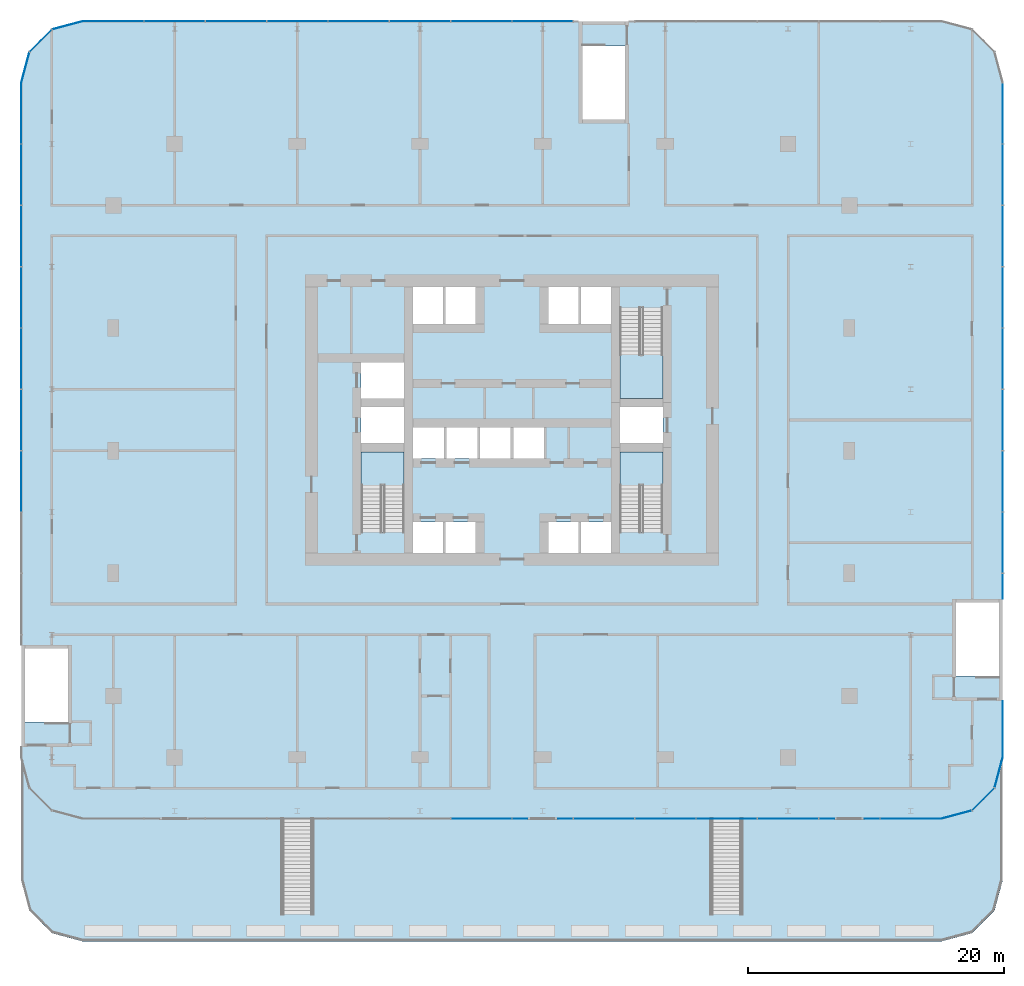
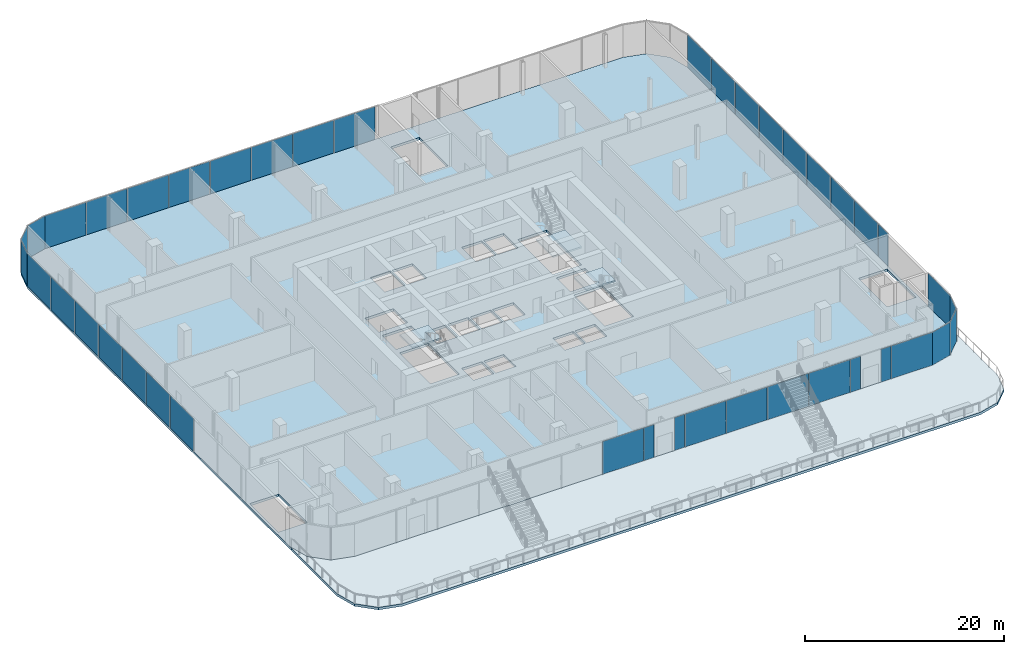
# One storey, part 20 of 32: 41 plates, 5 slabs, 9 elements without a shape of their own.
"""IFC4 building model written with IfcOpenShell, lengths in metres."""

import ifcopenshell
import ifcopenshell.guid

model = None  # the IFC model being written
_history = None  # IfcOwnerHistory: only IFC2X3 demands one
_inside = {}  # id of a spatial element -> (the spatial element, [elements in it])
_under = {}  # id of a project, library or spatial element -> (it, [spatial elements below it])
_declared = {}  # id of a project -> (the project, [libraries it declares])
_typed = {}  # id of a type object -> (the type object, [elements of that type])
_made_of = {}  # id of a material, layer set ... -> (it, [elements and type objects made of it])


def new_model(schema):
    """Start an empty IFC model of exactly this schema.

    Asked for "IFC4X3", IfcOpenShell would pick the latest addendum, in which some entities
    have other attributes; the version numbers below select the first issue.
    IFC2X3 requires an IfcOwnerHistory on every rooted entity: one is made here for all.
    """
    global model, _history
    if schema == "IFC4X3":
        model = ifcopenshell.file(schema_version=(4, 3, 0, 0))
    else:
        model = ifcopenshell.file(schema=schema)
    _inside.clear()
    _under.clear()
    _declared.clear()
    _typed.clear()
    _made_of.clear()
    _history = None
    if model.schema == "IFC2X3":
        org = make("IfcOrganization", Name="unknown")
        user = make(
            "IfcPersonAndOrganization",
            ThePerson=make("IfcPerson", FamilyName="unknown"),
            TheOrganization=org,
        )
        app = make(
            "IfcApplication",
            ApplicationDeveloper=org,
            Version="unknown",
            ApplicationFullName="unknown",
            ApplicationIdentifier="unknown",
        )
        _history = make(
            "IfcOwnerHistory",
            OwningUser=user,
            OwningApplication=app,
            ChangeAction="ADDED",
            CreationDate=0,
        )
    return model


def make(cls, **values):
    """One entity of the class cls with the attributes given. An attribute that is None is left unset."""
    return model.create_entity(
        cls, **{name: value for name, value in values.items() if value is not None}
    )


def rooted(cls, **values):
    """An entity with a GlobalId (a new one), such as an element, a storey or a relation."""
    return make(cls, GlobalId=ifcopenshell.guid.new(), OwnerHistory=_history, **values)


def si_unit(unit_type, name, prefix=None):
    """IfcSIUnit, for example si_unit("LENGTHUNIT", "METRE", prefix="MILLI")."""
    return make("IfcSIUnit", UnitType=unit_type, Prefix=prefix, Name=name)


def assignment(units):
    """IfcUnitAssignment: the units of a project."""
    return None if units is None else make("IfcUnitAssignment", Units=units)


def point(xyz):
    """IfcCartesianPoint."""
    return None if xyz is None else make("IfcCartesianPoint", Coordinates=xyz)


def direction(xyz):
    """IfcDirection."""
    return None if xyz is None else make("IfcDirection", DirectionRatios=xyz)


def frame(location, z_axis=None, x_axis=None):
    """IfcAxis2Placement3D, a coordinate frame: its origin and axes. An axis left out is left unset."""
    return make(
        "IfcAxis2Placement3D",
        Location=point(location),
        Axis=direction(z_axis),
        RefDirection=direction(x_axis),
    )


def frame_2d(location, x_axis=None):
    """IfcAxis2Placement2D, a coordinate frame in the plane: its origin and x axis."""
    return make(
        "IfcAxis2Placement2D", Location=point(location), RefDirection=direction(x_axis)
    )


def origin():
    """The frame at (0, 0, 0) with its axes left unset."""
    return frame((0.0, 0.0, 0.0))


def origin_2d():
    """The frame at (0, 0) in the plane with its x axis left unset."""
    return frame_2d((0.0, 0.0))


def place(relative_to, where):
    """IfcLocalPlacement: puts the frame where relative to a parent placement (None: the world)."""
    return make(
        "IfcLocalPlacement", PlacementRelTo=relative_to, RelativePlacement=where
    )


def context(
    kind, dimensions, precision=None, world=None, true_north=None, identifier=None
):
    """IfcGeometricRepresentationContext, for example the 3D "Model" context."""
    return make(
        "IfcGeometricRepresentationContext",
        ContextIdentifier=identifier,
        ContextType=kind,
        CoordinateSpaceDimension=dimensions,
        Precision=precision,
        WorldCoordinateSystem=world,
        TrueNorth=true_north,
    )


def subcontext(parent, identifier, kind, view, scale=None):
    """IfcGeometricRepresentationSubContext, for example "Body" below "Model"."""
    return make(
        "IfcGeometricRepresentationSubContext",
        ContextIdentifier=identifier,
        ContextType=kind,
        ParentContext=parent,
        TargetScale=scale,
        TargetView=view,
    )


def project(units=None, contexts=None):
    """IfcProject with its units and contexts."""
    return rooted(
        "IfcProject",
        Name="project",
        RepresentationContexts=contexts,
        UnitsInContext=assignment(units),
    )


def spatial(cls, under=None, at=None, **own):
    """A site, building, storey or space (cls), placed at a placement, below another one or the project."""
    s = rooted(cls, ObjectPlacement=at, **own)
    if under is not None:
        _under.setdefault(under.id(), (under, []))[1].append(s)
    return s


def polyline(points):
    """IfcPolyline through the points."""
    return make("IfcPolyline", Points=[point(p) for p in points])


def profile(cls, at=None, kind="AREA", **sizes):
    """A parametric profile (cls). Its sizes go by their IFC names, for example OverallWidth=200.0."""
    return make(cls, ProfileType=kind, Position=at, **sizes)


def rectangle(**sizes):
    """IfcRectangleProfileDef."""
    return profile("IfcRectangleProfileDef", **sizes)


def outline(outer, holes=None, kind="AREA"):
    """IfcArbitraryClosedProfileDef: a profile drawn as a closed curve; with holes, ...WithVoids."""
    if holes is None:
        return make("IfcArbitraryClosedProfileDef", ProfileType=kind, OuterCurve=outer)
    return make(
        "IfcArbitraryProfileDefWithVoids",
        ProfileType=kind,
        OuterCurve=outer,
        InnerCurves=holes,
    )


def extrude(swept, where, along, depth):
    """IfcExtrudedAreaSolid: the profile swept, set in the frame where, extruded along a direction by depth."""
    return make(
        "IfcExtrudedAreaSolid",
        SweptArea=swept,
        Position=where,
        ExtrudedDirection=direction(along),
        Depth=depth,
    )


def shape(context_of_items, identifier, shape_type, items):
    """IfcShapeRepresentation: the items that make up one representation, for example the "Body"."""
    return make(
        "IfcShapeRepresentation",
        ContextOfItems=context_of_items,
        RepresentationIdentifier=identifier,
        RepresentationType=shape_type,
        Items=items,
    )


def material(Name=None, Category=None):
    """IfcMaterial."""
    return make("IfcMaterial", Name=Name, Category=Category)


def layer(
    of_material, thickness, ventilated=None, Name=None, Category=None, Priority=None
):
    """IfcMaterialLayer: one layer of a wall or slab, of a material (None: an air gap)."""
    return make(
        "IfcMaterialLayer",
        Material=of_material,
        LayerThickness=thickness,
        IsVentilated=ventilated,
        Name=Name,
        Category=Category,
        Priority=Priority,
    )


def layer_set(layers, Name=None):
    """IfcMaterialLayerSet."""
    return make("IfcMaterialLayerSet", MaterialLayers=layers, LayerSetName=Name)


def made_of(thing, what):
    """Note that an element or type object is made of a material, layer set ...; save() writes the relation."""
    if what is not None:
        _made_of.setdefault(what.id(), (what, []))[1].append(thing)
    return thing


def type_object(cls, material=None, **own):
    """A type object (cls), such as IfcWallType, which elements share."""
    return made_of(rooted(cls, **own), material)


def element(
    cls,
    number,
    at=None,
    inside=None,
    cuts=None,
    type_object=None,
    material=None,
    context=None,
    identifier="Body",
    shape_type=None,
    held_by="IfcProductDefinitionShape",
    body=None,
    shapes=None,
    **own,
):
    """One element of the class cls, such as IfcWall. Its Tag is "e" and its number.

    at: its placement. inside: the storey or other place that contains it. cuts: it is an
    opening in that element (IfcRelVoidsElement). A single representation is given by context,
    identifier, shape_type and body (its items); several are given by shapes. held_by: the class
    of the entity that holds the representations. save() writes the other relations.
    """
    e = rooted(cls, Tag="e%d" % number, ObjectPlacement=at, **own)
    if body is not None:
        shapes = [shape(context, identifier, shape_type, body)]
    if shapes is not None:
        e.Representation = make(held_by, Representations=shapes)
    if inside is not None:
        _inside.setdefault(inside.id(), (inside, []))[1].append(e)
    if cuts is not None:
        rooted(
            "IfcRelVoidsElement", RelatingBuildingElement=cuts, RelatedOpeningElement=e
        )
    if type_object is not None:
        _typed.setdefault(type_object.id(), (type_object, []))[1].append(e)
    return made_of(e, material)


def aggregate(whole, parts):
    """IfcRelAggregates: a whole, such as a stair, and the parts it consists of."""
    return rooted("IfcRelAggregates", RelatingObject=whole, RelatedObjects=parts)


def save(model, path):
    """Write the relations noted so far, then the file.

    IfcRelAggregates (storeys below a building ...), IfcRelContainedInSpatialStructure (elements
    in a storey), IfcRelDefinesByType, IfcRelAssociatesMaterial and IfcRelDeclares: one each for
    every whole, place, type object, material and project.
    """
    for whole, parts in _under.values():
        aggregate(whole, parts)
    for where, things in _inside.values():
        rooted(
            "IfcRelContainedInSpatialStructure",
            RelatedElements=things,
            RelatingStructure=where,
        )
    for kind, things in _typed.values():
        rooted("IfcRelDefinesByType", RelatedObjects=things, RelatingType=kind)
    for what, things in _made_of.values():
        rooted("IfcRelAssociatesMaterial", RelatedObjects=things, RelatingMaterial=what)
    for by, libraries in _declared.values():
        rooted("IfcRelDeclares", RelatingContext=by, RelatedDefinitions=libraries)
    model.write(path)


model = new_model("IFC4")

# Units and contexts
model_context = context("Model", 3, precision=1e-05, world=origin(), true_north=direction((0.0, 1.0)))
body_context = subcontext(model_context, "Body", "Model", "MODEL_VIEW")
ifc_project = project(units=[si_unit("LENGTHUNIT", "METRE"), si_unit("AREAUNIT", "SQUARE_METRE"), si_unit("VOLUMEUNIT", "CUBIC_METRE"), si_unit("PLANEANGLEUNIT", "RADIAN"), si_unit("MASSUNIT", "GRAM", prefix="KILO")], contexts=[model_context])

# Site, building, storey
site_placement = place(None, origin())
site = spatial("IfcSite", under=ifc_project, at=site_placement, CompositionType="ELEMENT")
building_placement = place(site_placement, origin())
building = spatial("IfcBuilding", under=site, at=building_placement, Name="Madar Terraces", CompositionType="ELEMENT")
storey_placement = place(building_placement, frame((0.0, 0.0, 19.5)))
storey = spatial("IfcBuildingStorey", under=building, at=storey_placement, Name="L04", CompositionType="ELEMENT", Elevation=19.5)

# Slab
ifc_material_1 = material(Name="Concrete C50/60", Category="concrete")
ifc_layer_1 = layer(ifc_material_1, 0.300048828125)
ifc_layer_set_1 = layer_set([ifc_layer_1], Name="FS2 PT flat slab 300")
slab_type_1 = type_object("IfcSlabType", Name="FS2 PT flat slab 300", PredefinedType="FLOOR", material=ifc_layer_set_1)
slab_1_placement = place(storey_placement, frame((0.0, 0.0, -0.300048828125)))
element("IfcSlab", 1, at=slab_1_placement, inside=storey, type_object=slab_type_1, Name="Floor slab L04 (1)", PredefinedType="FLOOR", context=body_context, shape_type="SweptSolid", body=[
    extrude(outline(polyline([(64.800048828125, -4.800048828125), (67.199951171875, -4.156982421875), (68.95703125, -2.39990234375), (69.60009765625, 0.0), (69.60009765625, 52.800048828125), (68.95703125, 55.199951171875), (67.199951171875, 56.95703125), (64.800048828125, 57.60009765625), (-2.39990234375, 57.60009765625), (-4.800048828125, 56.95703125), (-6.556884765625, 55.199951171875), (-7.199951171875, 52.800048828125), (-7.199951171875, 0.0), (-6.556884765625, -2.39990234375), (-4.800048828125, -4.156982421875), (-2.39990234375, -4.800048828125), (64.800048828125, -4.800048828125)]), holes=[polyline([(-6.89990234375, 2.75), (-6.89990234375, 8.5), (-3.550048828125, 8.5), (-3.550048828125, 2.75), (-6.89990234375, 2.75)]), polyline([(23.449951171875, 16.0), (23.449951171875, 18.39990234375), (25.800048828125, 18.39990234375), (25.800048828125, 16.0), (23.449951171875, 16.0)]), polyline([(26.0, 16.0), (26.0, 18.39990234375), (28.35009765625, 18.39990234375), (28.35009765625, 16.0), (26.0, 16.0)]), polyline([(19.39990234375, 23.89990234375), (22.75, 23.89990234375), (22.75, 17.64990234375), (19.39990234375, 17.64990234375), (19.39990234375, 23.89990234375)]), polyline([(23.449951171875, 25.800048828125), (25.86669921875, 25.800048828125), (25.86669921875, 23.39990234375), (23.449951171875, 23.39990234375), (23.449951171875, 25.800048828125)]), polyline([(26.066650390625, 23.39990234375), (26.066650390625, 25.800048828125), (28.4833984375, 25.800048828125), (28.4833984375, 23.39990234375), (26.066650390625, 23.39990234375)]), polyline([(28.683349609375, 23.39990234375), (28.683349609375, 25.800048828125), (31.10009765625, 25.800048828125), (31.10009765625, 23.39990234375), (28.683349609375, 23.39990234375)]), polyline([(19.39990234375, 24.60009765625), (19.39990234375, 27.39990234375), (22.75, 27.39990234375), (22.75, 24.60009765625), (19.39990234375, 24.60009765625)]), polyline([(19.39990234375, 30.89990234375), (22.75, 30.89990234375), (22.75, 28.10009765625), (19.39990234375, 28.10009765625), (19.39990234375, 30.89990234375)]), polyline([(23.449951171875, 36.800048828125), (25.800048828125, 36.800048828125), (25.800048828125, 33.89990234375), (23.449951171875, 33.89990234375), (23.449951171875, 36.800048828125)]), polyline([(26.0, 33.89990234375), (26.0, 36.800048828125), (28.35009765625, 36.800048828125), (28.35009765625, 33.89990234375), (26.0, 33.89990234375)]), polyline([(65.949951171875, 6.35009765625), (65.949951171875, 12.10009765625), (69.300048828125, 12.10009765625), (69.300048828125, 6.35009765625), (65.949951171875, 6.35009765625)]), polyline([(34.050048828125, 16.0), (34.050048828125, 18.39990234375), (36.39990234375, 18.39990234375), (36.39990234375, 16.0), (34.050048828125, 16.0)]), polyline([(36.60009765625, 18.39990234375), (38.949951171875, 18.39990234375), (38.949951171875, 16.0), (36.60009765625, 16.0), (36.60009765625, 18.39990234375)]), polyline([(39.64990234375, 23.89990234375), (43.0, 23.89990234375), (43.0, 17.64990234375), (39.64990234375, 17.64990234375), (39.64990234375, 23.89990234375)]), polyline([(31.300048828125, 23.39990234375), (31.300048828125, 25.800048828125), (33.716552734375, 25.800048828125), (33.716552734375, 23.39990234375), (31.300048828125, 23.39990234375)]), polyline([(39.64990234375, 27.39990234375), (43.0, 27.39990234375), (43.0, 24.60009765625), (39.64990234375, 24.60009765625), (39.64990234375, 27.39990234375)]), polyline([(39.64990234375, 35.14990234375), (43.0, 35.14990234375), (43.0, 28.10009765625), (39.64990234375, 28.10009765625), (39.64990234375, 35.14990234375)]), polyline([(34.050048828125, 33.89990234375), (34.050048828125, 36.800048828125), (36.39990234375, 36.800048828125), (36.39990234375, 33.89990234375), (34.050048828125, 33.89990234375)]), polyline([(36.60009765625, 36.800048828125), (38.949951171875, 36.800048828125), (38.949951171875, 33.89990234375), (36.60009765625, 33.89990234375), (36.60009765625, 36.800048828125)]), polyline([(36.699951171875, 55.64990234375), (40.050048828125, 55.64990234375), (40.050048828125, 49.89990234375), (36.699951171875, 49.89990234375), (36.699951171875, 55.64990234375)])]), origin(), (0.0, 0.0, 1.0), 0.300048828125),
])

# Curtain wall, plates
ifc_material_2 = material(Name="Glass, clear low-iron, with black aluminium frame", Category="aluminium")
ifc_layer_2 = layer(ifc_material_2, 0.199951171875)
ifc_layer_set_2 = layer_set([ifc_layer_2], Name="Facade curtain wall, shopfront glazing")
curtain_wall_type = type_object("IfcCurtainWallType", Name="Facade curtain wall, shopfront glazing", PredefinedType="NOTDEFINED", material=ifc_layer_set_2)
curtain_wall_1_placement = place(storey_placement, origin())
curtain_wall_1 = element("IfcCurtainWall", 2, at=curtain_wall_1_placement, inside=storey, type_object=curtain_wall_type, Name="Outer skin curtain wall south bay 1", PredefinedType="NOTDEFINED")
ifc_material_3 = material(Name="Glass, ceramic frit dark grey", Category="glass")
ifc_layer_3 = layer(ifc_material_3, 0.028076171875)
ifc_layer_set_3 = layer_set([ifc_layer_3], Name="Facade glass panel 28")
plate_type = type_object("IfcPlateType", Name="Facade glass panel 28", PredefinedType="CURTAIN_PANEL", material=ifc_layer_set_3)
plate_1_placement = place(storey_placement, frame((28.800048828125, -4.800048828125, 0.0), z_axis=(0.0, 0.0, 1.0), x_axis=(1.0, 0.0, 0.0)))
plate_1 = element("IfcPlate", 3, at=plate_1_placement, type_object=plate_type, Name="Panel 8", PredefinedType="CURTAIN_PANEL", context=body_context, shape_type="SweptSolid", body=[
    extrude(rectangle(XDim=4.739990234375, YDim=0.028076171875, at=origin_2d()), origin(), (0.0, 0.0, 1.0), 4.0400390625),
])
plate_2_placement = place(storey_placement, frame((31.81494140625, -4.800048828125, 0.0), z_axis=(0.0, 0.0, 1.0), x_axis=(1.0, 0.0, 0.0)))
plate_2 = element("IfcPlate", 4, at=plate_2_placement, type_object=plate_type, Name="Panel 9", PredefinedType="CURTAIN_PANEL", context=body_context, shape_type="SweptSolid", body=[
    extrude(rectangle(XDim=1.169921875, YDim=0.028076171875, at=origin_2d()), origin(), (0.0, 0.0, 1.0), 4.0400390625),
])
plate_3_placement = place(storey_placement, frame((35.385009765625, -4.800048828125, 0.0), z_axis=(0.0, 0.0, 1.0), x_axis=(1.0, 0.0, 0.0)))
plate_3 = element("IfcPlate", 5, at=plate_3_placement, type_object=plate_type, Name="Panel 10", PredefinedType="CURTAIN_PANEL", context=body_context, shape_type="SweptSolid", body=[
    extrude(rectangle(XDim=1.169921875, YDim=0.028076171875, at=origin_2d()), origin(), (0.0, 0.0, 1.0), 4.0400390625),
])
plate_4_placement = place(storey_placement, frame((38.39990234375, -4.800048828125, 0.0), z_axis=(0.0, 0.0, 1.0), x_axis=(1.0, 0.0, 0.0)))
plate_4 = element("IfcPlate", 6, at=plate_4_placement, type_object=plate_type, Name="Panel 11", PredefinedType="CURTAIN_PANEL", context=body_context, shape_type="SweptSolid", body=[
    extrude(rectangle(XDim=4.739990234375, YDim=0.028076171875, at=origin_2d()), origin(), (0.0, 0.0, 1.0), 4.0400390625),
])
plate_5_placement = place(storey_placement, frame((43.199951171875, -4.800048828125, 0.0), z_axis=(0.0, 0.0, 1.0), x_axis=(1.0, 0.0, 0.0)))
plate_5 = element("IfcPlate", 7, at=plate_5_placement, type_object=plate_type, Name="Panel 12", PredefinedType="CURTAIN_PANEL", context=body_context, shape_type="SweptSolid", body=[
    extrude(rectangle(XDim=4.739990234375, YDim=0.028076171875, at=origin_2d()), origin(), (0.0, 0.0, 1.0), 4.0400390625),
])
plate_6_placement = place(storey_placement, frame((48.0, -4.800048828125, 0.0), z_axis=(0.0, 0.0, 1.0), x_axis=(1.0, 0.0, 0.0)))
plate_6 = element("IfcPlate", 8, at=plate_6_placement, type_object=plate_type, Name="Panel 13", PredefinedType="CURTAIN_PANEL", context=body_context, shape_type="SweptSolid", body=[
    extrude(rectangle(XDim=4.739990234375, YDim=0.028076171875, at=origin_2d()), origin(), (0.0, 0.0, 1.0), 4.0400390625),
])
plate_7_placement = place(storey_placement, frame((52.800048828125, -4.800048828125, 0.0), z_axis=(0.0, 0.0, 1.0), x_axis=(1.0, 0.0, 0.0)))
plate_7 = element("IfcPlate", 9, at=plate_7_placement, type_object=plate_type, Name="Panel 14", PredefinedType="CURTAIN_PANEL", context=body_context, shape_type="SweptSolid", body=[
    extrude(rectangle(XDim=4.739990234375, YDim=0.028076171875, at=origin_2d()), origin(), (0.0, 0.0, 1.0), 4.0400390625),
])
plate_8_placement = place(storey_placement, frame((55.81494140625, -4.800048828125, 0.0), z_axis=(0.0, 0.0, 1.0), x_axis=(1.0, 0.0, 0.0)))
plate_8 = element("IfcPlate", 10, at=plate_8_placement, type_object=plate_type, Name="Panel 15", PredefinedType="CURTAIN_PANEL", context=body_context, shape_type="SweptSolid", body=[
    extrude(rectangle(XDim=1.169921875, YDim=0.028076171875, at=origin_2d()), origin(), (0.0, 0.0, 1.0), 4.0400390625),
])
plate_9_placement = place(storey_placement, frame((59.385009765625, -4.800048828125, 0.0), z_axis=(0.0, 0.0, 1.0), x_axis=(1.0, 0.0, 0.0)))
plate_9 = element("IfcPlate", 11, at=plate_9_placement, type_object=plate_type, Name="Panel 16", PredefinedType="CURTAIN_PANEL", context=body_context, shape_type="SweptSolid", body=[
    extrude(rectangle(XDim=1.169921875, YDim=0.028076171875, at=origin_2d()), origin(), (0.0, 0.0, 1.0), 4.0400390625),
])
plate_10_placement = place(storey_placement, frame((62.4150390625, -4.800048828125, 0.0), z_axis=(0.0, 0.0, 1.0), x_axis=(1.0, 0.0, 0.0)))
plate_10 = element("IfcPlate", 12, at=plate_10_placement, type_object=plate_type, Name="Panel 17", PredefinedType="CURTAIN_PANEL", context=body_context, shape_type="SweptSolid", body=[
    extrude(rectangle(XDim=4.77001953125, YDim=0.028076171875, at=origin_2d()), origin(), (0.0, 0.0, 1.0), 4.0400390625),
])
aggregate(curtain_wall_1, [plate_1, plate_2, plate_3, plate_4, plate_5, plate_6, plate_7, plate_8, plate_9, plate_10])

curtain_wall_2_placement = place(storey_placement, origin())
curtain_wall_2 = element("IfcCurtainWall", 13, at=curtain_wall_2_placement, inside=storey, type_object=curtain_wall_type, Name="Outer skin curtain wall east bay 1", PredefinedType="NOTDEFINED")
plate_11_placement = place(storey_placement, frame((69.60009765625, 2.199951171875, 0.0), z_axis=(0.0, 0.0, 1.0), x_axis=(0.0, 1.0, 0.0)))
plate_11 = element("IfcPlate", 14, at=plate_11_placement, type_object=plate_type, Name="Panel 1", PredefinedType="CURTAIN_PANEL", context=body_context, shape_type="SweptSolid", body=[
    extrude(rectangle(XDim=4.39990234375, YDim=0.028076171875, at=origin_2d()), origin(), (0.0, 0.0, 1.0), 4.0400390625),
])
plate_12_placement = place(storey_placement, frame((69.60009765625, 13.385009765625, 0.0), z_axis=(0.0, 0.0, 1.0), x_axis=(0.0, 1.0, 0.0)))
plate_12 = element("IfcPlate", 15, at=plate_12_placement, type_object=plate_type, Name="Panel 2", PredefinedType="CURTAIN_PANEL", context=body_context, shape_type="SweptSolid", body=[
    extrude(rectangle(XDim=1.969970703125, YDim=0.028076171875, at=origin_2d()), origin(), (0.0, 0.0, 1.0), 4.0400390625),
])
plate_13_placement = place(storey_placement, frame((69.60009765625, 16.800048828125, 0.0), z_axis=(0.0, 0.0, 1.0), x_axis=(0.0, 1.0, 0.0)))
plate_13 = element("IfcPlate", 16, at=plate_13_placement, type_object=plate_type, Name="Panel 3", PredefinedType="CURTAIN_PANEL", context=body_context, shape_type="SweptSolid", body=[
    extrude(rectangle(XDim=4.739990234375, YDim=0.028076171875, at=origin_2d()), origin(), (0.0, 0.0, 1.0), 4.0400390625),
])
plate_14_placement = place(storey_placement, frame((69.60009765625, 21.60009765625, 0.0), z_axis=(0.0, 0.0, 1.0), x_axis=(0.0, 1.0, 0.0)))
plate_14 = element("IfcPlate", 17, at=plate_14_placement, type_object=plate_type, Name="Panel 4", PredefinedType="CURTAIN_PANEL", context=body_context, shape_type="SweptSolid", body=[
    extrude(rectangle(XDim=4.739990234375, YDim=0.028076171875, at=origin_2d()), origin(), (0.0, 0.0, 1.0), 4.0400390625),
])
plate_15_placement = place(storey_placement, frame((69.60009765625, 26.39990234375, 0.0), z_axis=(0.0, 0.0, 1.0), x_axis=(0.0, 1.0, 0.0)))
plate_15 = element("IfcPlate", 18, at=plate_15_placement, type_object=plate_type, Name="Panel 5", PredefinedType="CURTAIN_PANEL", context=body_context, shape_type="SweptSolid", body=[
    extrude(rectangle(XDim=4.739990234375, YDim=0.028076171875, at=origin_2d()), origin(), (0.0, 0.0, 1.0), 4.0400390625),
])
plate_16_placement = place(storey_placement, frame((69.60009765625, 31.199951171875, 0.0), z_axis=(0.0, 0.0, 1.0), x_axis=(0.0, 1.0, 0.0)))
plate_16 = element("IfcPlate", 19, at=plate_16_placement, type_object=plate_type, Name="Panel 6", PredefinedType="CURTAIN_PANEL", context=body_context, shape_type="SweptSolid", body=[
    extrude(rectangle(XDim=4.739990234375, YDim=0.028076171875, at=origin_2d()), origin(), (0.0, 0.0, 1.0), 4.0400390625),
])
plate_17_placement = place(storey_placement, frame((69.60009765625, 36.0, 0.0), z_axis=(0.0, 0.0, 1.0), x_axis=(0.0, 1.0, 0.0)))
plate_17 = element("IfcPlate", 20, at=plate_17_placement, type_object=plate_type, Name="Panel 7", PredefinedType="CURTAIN_PANEL", context=body_context, shape_type="SweptSolid", body=[
    extrude(rectangle(XDim=4.739990234375, YDim=0.028076171875, at=origin_2d()), origin(), (0.0, 0.0, 1.0), 4.0400390625),
])
plate_18_placement = place(storey_placement, frame((69.60009765625, 40.800048828125, 0.0), z_axis=(0.0, 0.0, 1.0), x_axis=(0.0, 1.0, 0.0)))
plate_18 = element("IfcPlate", 21, at=plate_18_placement, type_object=plate_type, Name="Panel 8", PredefinedType="CURTAIN_PANEL", context=body_context, shape_type="SweptSolid", body=[
    extrude(rectangle(XDim=4.739990234375, YDim=0.028076171875, at=origin_2d()), origin(), (0.0, 0.0, 1.0), 4.0400390625),
])
plate_19_placement = place(storey_placement, frame((69.60009765625, 45.60009765625, 0.0), z_axis=(0.0, 0.0, 1.0), x_axis=(0.0, 1.0, 0.0)))
plate_19 = element("IfcPlate", 22, at=plate_19_placement, type_object=plate_type, Name="Panel 9", PredefinedType="CURTAIN_PANEL", context=body_context, shape_type="SweptSolid", body=[
    extrude(rectangle(XDim=4.739990234375, YDim=0.028076171875, at=origin_2d()), origin(), (0.0, 0.0, 1.0), 4.0400390625),
])
plate_20_placement = place(storey_placement, frame((69.60009765625, 50.4150390625, 0.0), z_axis=(0.0, 0.0, 1.0), x_axis=(0.0, 1.0, 0.0)))
plate_20 = element("IfcPlate", 23, at=plate_20_placement, type_object=plate_type, Name="Panel 10", PredefinedType="CURTAIN_PANEL", context=body_context, shape_type="SweptSolid", body=[
    extrude(rectangle(XDim=4.77001953125, YDim=0.028076171875, at=origin_2d()), origin(), (0.0, 0.0, 1.0), 4.0400390625),
])
aggregate(curtain_wall_2, [plate_11, plate_12, plate_13, plate_14, plate_15, plate_16, plate_17, plate_18, plate_19, plate_20])

curtain_wall_3_placement = place(storey_placement, origin())
curtain_wall_3 = element("IfcCurtainWall", 24, at=curtain_wall_3_placement, inside=storey, type_object=curtain_wall_type, Name="Outer skin curtain wall north bay 1", PredefinedType="NOTDEFINED")
plate_21_placement = place(storey_placement, frame((33.60009765625, 57.60009765625, 0.0), z_axis=(0.0, 0.0, 1.0), x_axis=(-1.0, 0.0, 0.0)))
plate_21 = element("IfcPlate", 25, at=plate_21_placement, type_object=plate_type, Name="Panel 8", PredefinedType="CURTAIN_PANEL", context=body_context, shape_type="SweptSolid", body=[
    extrude(rectangle(XDim=4.739990234375, YDim=0.028076171875, at=origin_2d()), origin(), (0.0, 0.0, 1.0), 4.0400390625),
])
plate_22_placement = place(storey_placement, frame((28.800048828125, 57.60009765625, 0.0), z_axis=(0.0, 0.0, 1.0), x_axis=(-1.0, 0.0, 0.0)))
plate_22 = element("IfcPlate", 26, at=plate_22_placement, type_object=plate_type, Name="Panel 9", PredefinedType="CURTAIN_PANEL", context=body_context, shape_type="SweptSolid", body=[
    extrude(rectangle(XDim=4.739990234375, YDim=0.028076171875, at=origin_2d()), origin(), (0.0, 0.0, 1.0), 4.0400390625),
])
plate_23_placement = place(storey_placement, frame((24.0, 57.60009765625, 0.0), z_axis=(0.0, 0.0, 1.0), x_axis=(-1.0, 0.0, 0.0)))
plate_23 = element("IfcPlate", 27, at=plate_23_placement, type_object=plate_type, Name="Panel 10", PredefinedType="CURTAIN_PANEL", context=body_context, shape_type="SweptSolid", body=[
    extrude(rectangle(XDim=4.739990234375, YDim=0.028076171875, at=origin_2d()), origin(), (0.0, 0.0, 1.0), 4.0400390625),
])
plate_24_placement = place(storey_placement, frame((19.199951171875, 57.60009765625, 0.0), z_axis=(0.0, 0.0, 1.0), x_axis=(-1.0, 0.0, 0.0)))
plate_24 = element("IfcPlate", 28, at=plate_24_placement, type_object=plate_type, Name="Panel 11", PredefinedType="CURTAIN_PANEL", context=body_context, shape_type="SweptSolid", body=[
    extrude(rectangle(XDim=4.739990234375, YDim=0.028076171875, at=origin_2d()), origin(), (0.0, 0.0, 1.0), 4.0400390625),
])
plate_25_placement = place(storey_placement, frame((14.39990234375, 57.60009765625, 0.0), z_axis=(0.0, 0.0, 1.0), x_axis=(-1.0, 0.0, 0.0)))
plate_25 = element("IfcPlate", 29, at=plate_25_placement, type_object=plate_type, Name="Panel 12", PredefinedType="CURTAIN_PANEL", context=body_context, shape_type="SweptSolid", body=[
    extrude(rectangle(XDim=4.739990234375, YDim=0.028076171875, at=origin_2d()), origin(), (0.0, 0.0, 1.0), 4.0400390625),
])
plate_26_placement = place(storey_placement, frame((9.60009765625, 57.60009765625, 0.0), z_axis=(0.0, 0.0, 1.0), x_axis=(-1.0, 0.0, 0.0)))
plate_26 = element("IfcPlate", 30, at=plate_26_placement, type_object=plate_type, Name="Panel 13", PredefinedType="CURTAIN_PANEL", context=body_context, shape_type="SweptSolid", body=[
    extrude(rectangle(XDim=4.739990234375, YDim=0.028076171875, at=origin_2d()), origin(), (0.0, 0.0, 1.0), 4.0400390625),
])
plate_27_placement = place(storey_placement, frame((4.800048828125, 57.60009765625, 0.0), z_axis=(0.0, 0.0, 1.0), x_axis=(-1.0, 0.0, 0.0)))
plate_27 = element("IfcPlate", 31, at=plate_27_placement, type_object=plate_type, Name="Panel 14", PredefinedType="CURTAIN_PANEL", context=body_context, shape_type="SweptSolid", body=[
    extrude(rectangle(XDim=4.739990234375, YDim=0.028076171875, at=origin_2d()), origin(), (0.0, 0.0, 1.0), 4.0400390625),
])
plate_28_placement = place(storey_placement, frame((-0.014892578125, 57.60009765625, 0.0), z_axis=(0.0, 0.0, 1.0), x_axis=(-1.0, 0.0, 0.0)))
plate_28 = element("IfcPlate", 32, at=plate_28_placement, type_object=plate_type, Name="Panel 15", PredefinedType="CURTAIN_PANEL", context=body_context, shape_type="SweptSolid", body=[
    extrude(rectangle(XDim=4.77001953125, YDim=0.028076171875, at=origin_2d()), origin(), (0.0, 0.0, 1.0), 4.0400390625),
])
aggregate(curtain_wall_3, [plate_21, plate_22, plate_23, plate_24, plate_25, plate_26, plate_27, plate_28])

curtain_wall_4_placement = place(storey_placement, origin())
curtain_wall_4 = element("IfcCurtainWall", 33, at=curtain_wall_4_placement, inside=storey, type_object=curtain_wall_type, Name="Outer skin curtain wall west bay 1", PredefinedType="NOTDEFINED")
plate_29_placement = place(storey_placement, frame((-7.199951171875, 50.4150390625, 0.0), z_axis=(0.0, 0.0, 1.0), x_axis=(0.0, -1.0, 0.0)))
plate_29 = element("IfcPlate", 34, at=plate_29_placement, type_object=plate_type, Name="Panel 1", PredefinedType="CURTAIN_PANEL", context=body_context, shape_type="SweptSolid", body=[
    extrude(rectangle(XDim=4.77001953125, YDim=0.028076171875, at=origin_2d()), origin(), (0.0, 0.0, 1.0), 4.0400390625),
])
plate_30_placement = place(storey_placement, frame((-7.199951171875, 45.60009765625, 0.0), z_axis=(0.0, 0.0, 1.0), x_axis=(0.0, -1.0, 0.0)))
plate_30 = element("IfcPlate", 35, at=plate_30_placement, type_object=plate_type, Name="Panel 2", PredefinedType="CURTAIN_PANEL", context=body_context, shape_type="SweptSolid", body=[
    extrude(rectangle(XDim=4.739990234375, YDim=0.028076171875, at=origin_2d()), origin(), (0.0, 0.0, 1.0), 4.0400390625),
])
plate_31_placement = place(storey_placement, frame((-7.199951171875, 40.800048828125, 0.0), z_axis=(0.0, 0.0, 1.0), x_axis=(0.0, -1.0, 0.0)))
plate_31 = element("IfcPlate", 36, at=plate_31_placement, type_object=plate_type, Name="Panel 3", PredefinedType="CURTAIN_PANEL", context=body_context, shape_type="SweptSolid", body=[
    extrude(rectangle(XDim=4.739990234375, YDim=0.028076171875, at=origin_2d()), origin(), (0.0, 0.0, 1.0), 4.0400390625),
])
plate_32_placement = place(storey_placement, frame((-7.199951171875, 36.0, 0.0), z_axis=(0.0, 0.0, 1.0), x_axis=(0.0, -1.0, 0.0)))
plate_32 = element("IfcPlate", 37, at=plate_32_placement, type_object=plate_type, Name="Panel 4", PredefinedType="CURTAIN_PANEL", context=body_context, shape_type="SweptSolid", body=[
    extrude(rectangle(XDim=4.739990234375, YDim=0.028076171875, at=origin_2d()), origin(), (0.0, 0.0, 1.0), 4.0400390625),
])
plate_33_placement = place(storey_placement, frame((-7.199951171875, 31.199951171875, 0.0), z_axis=(0.0, 0.0, 1.0), x_axis=(0.0, -1.0, 0.0)))
plate_33 = element("IfcPlate", 38, at=plate_33_placement, type_object=plate_type, Name="Panel 5", PredefinedType="CURTAIN_PANEL", context=body_context, shape_type="SweptSolid", body=[
    extrude(rectangle(XDim=4.739990234375, YDim=0.028076171875, at=origin_2d()), origin(), (0.0, 0.0, 1.0), 4.0400390625),
])
plate_34_placement = place(storey_placement, frame((-7.199951171875, 26.39990234375, 0.0), z_axis=(0.0, 0.0, 1.0), x_axis=(0.0, -1.0, 0.0)))
plate_34 = element("IfcPlate", 39, at=plate_34_placement, type_object=plate_type, Name="Panel 6", PredefinedType="CURTAIN_PANEL", context=body_context, shape_type="SweptSolid", body=[
    extrude(rectangle(XDim=4.739990234375, YDim=0.028076171875, at=origin_2d()), origin(), (0.0, 0.0, 1.0), 4.0400390625),
])
plate_35_placement = place(storey_placement, frame((-7.199951171875, 21.60009765625, 0.0), z_axis=(0.0, 0.0, 1.0), x_axis=(0.0, -1.0, 0.0)))
plate_35 = element("IfcPlate", 40, at=plate_35_placement, type_object=plate_type, Name="Panel 7", PredefinedType="CURTAIN_PANEL", context=body_context, shape_type="SweptSolid", body=[
    extrude(rectangle(XDim=4.739990234375, YDim=0.028076171875, at=origin_2d()), origin(), (0.0, 0.0, 1.0), 4.0400390625),
])
aggregate(curtain_wall_4, [plate_29, plate_30, plate_31, plate_32, plate_33, plate_34, plate_35])

curtain_wall_5_placement = place(storey_placement, origin())
curtain_wall_5 = element("IfcCurtainWall", 41, at=curtain_wall_5_placement, inside=storey, type_object=curtain_wall_type, Name="Outer skin curtain wall south-east corner", PredefinedType="NOTDEFINED")
plate_36_placement = place(storey_placement, frame((65.985595703125, -4.482421875, 0.0), z_axis=(0.0, 0.0, 1.0), x_axis=(0.965925832509, 0.258819021888, 0.0)))
plate_36 = element("IfcPlate", 42, at=plate_36_placement, type_object=plate_type, Name="Panel 1", PredefinedType="CURTAIN_PANEL", context=body_context, shape_type="SweptSolid", body=[
    extrude(rectangle(XDim=2.45458984375, YDim=0.028076171875, at=origin_2d()), origin(), (0.0, 0.0, 1.0), 4.0400390625),
])
plate_37_placement = place(storey_placement, frame((68.078369140625, -3.278564453125, 0.0), z_axis=(0.0, 0.0, 1.0), x_axis=(0.707106781187, 0.707106781187, 0.0)))
plate_37 = element("IfcPlate", 43, at=plate_37_placement, type_object=plate_type, Name="Panel 2", PredefinedType="CURTAIN_PANEL", context=body_context, shape_type="SweptSolid", body=[
    extrude(rectangle(XDim=2.424560546875, YDim=0.028076171875, at=origin_2d()), origin(), (0.0, 0.0, 1.0), 4.0400390625),
])
plate_38_placement = place(storey_placement, frame((69.2822265625, -1.185546875, 0.0), z_axis=(0.0, 0.0, 1.0), x_axis=(0.258819021888, 0.965925832509, 0.0)))
plate_38 = element("IfcPlate", 44, at=plate_38_placement, type_object=plate_type, Name="Panel 3", PredefinedType="CURTAIN_PANEL", context=body_context, shape_type="SweptSolid", body=[
    extrude(rectangle(XDim=2.45458984375, YDim=0.028076171875, at=origin_2d()), origin(), (0.0, 0.0, 1.0), 4.0400390625),
])
aggregate(curtain_wall_5, [plate_36, plate_37, plate_38])

curtain_wall_6_placement = place(storey_placement, origin())
curtain_wall_6 = element("IfcCurtainWall", 45, at=curtain_wall_6_placement, inside=storey, type_object=curtain_wall_type, Name="Outer skin curtain wall north-west corner", PredefinedType="NOTDEFINED")
plate_39_placement = place(storey_placement, frame((-3.58544921875, 57.2822265625, 0.0), z_axis=(0.0, 0.0, 1.0), x_axis=(-0.965925832509, -0.258819021888, 0.0)))
plate_39 = element("IfcPlate", 46, at=plate_39_placement, type_object=plate_type, Name="Panel 1", PredefinedType="CURTAIN_PANEL", context=body_context, shape_type="SweptSolid", body=[
    extrude(rectangle(XDim=2.45458984375, YDim=0.028076171875, at=origin_2d()), origin(), (0.0, 0.0, 1.0), 4.0400390625),
])
plate_40_placement = place(storey_placement, frame((-5.678466796875, 56.078369140625, 0.0), z_axis=(0.0, 0.0, 1.0), x_axis=(-0.707106781187, -0.707106781187, 0.0)))
plate_40 = element("IfcPlate", 47, at=plate_40_placement, type_object=plate_type, Name="Panel 2", PredefinedType="CURTAIN_PANEL", context=body_context, shape_type="SweptSolid", body=[
    extrude(rectangle(XDim=2.424560546875, YDim=0.028076171875, at=origin_2d()), origin(), (0.0, 0.0, 1.0), 4.0400390625),
])
plate_41_placement = place(storey_placement, frame((-6.88232421875, 53.985595703125, 0.0), z_axis=(0.0, 0.0, 1.0), x_axis=(-0.258819021888, -0.965925832509, 0.0)))
plate_41 = element("IfcPlate", 48, at=plate_41_placement, type_object=plate_type, Name="Panel 3", PredefinedType="CURTAIN_PANEL", context=body_context, shape_type="SweptSolid", body=[
    extrude(rectangle(XDim=2.45458984375, YDim=0.028076171875, at=origin_2d()), origin(), (0.0, 0.0, 1.0), 4.0400390625),
])
aggregate(curtain_wall_6, [plate_39, plate_40, plate_41])

# Stair, slab
ifc_material_4 = material(Name="Concrete C50/60", Category="concrete")
stair_type_1 = type_object("IfcStairType", Name="Stair ST1 protected exit", PredefinedType="HALF_TURN_STAIR", material=ifc_material_4)
stair_1_placement = place(storey_placement, origin())
stair_1 = element("IfcStair", 49, at=stair_1_placement, inside=storey, type_object=stair_type_1, Name="L04 Protected Exit Stair ST1", PredefinedType="HALF_TURN_STAIR")
ifc_material_5 = material(Name="Concrete C50/60", Category="concrete")
ifc_layer_4 = layer(ifc_material_5, 0.199951171875)
ifc_layer_set_4 = layer_set([ifc_layer_4], Name="Stair landing 200, top +2.25")
slab_type_2 = type_object("IfcSlabType", Name="Stair landing 200, top +2.25", PredefinedType="LANDING", material=ifc_layer_set_4)
slab_2_placement = place(storey_placement, frame((0.0, 0.0, 2.050048828125)))
slab_2 = element("IfcSlab", 50, at=slab_2_placement, type_object=slab_type_2, Name="ST1 landing 1", PredefinedType="LANDING", context=body_context, shape_type="SweptSolid", body=[
    extrude(outline(polyline([(19.39990234375, 21.2900390625), (22.75, 21.2900390625), (22.75, 23.89990234375), (19.39990234375, 23.89990234375), (19.39990234375, 21.2900390625)])), origin(), (0.0, 0.0, 1.0), 0.199951171875),
])
aggregate(stair_1, [slab_2])

ifc_material_6 = material(Name="Concrete C50/60", Category="concrete")
stair_type_2 = type_object("IfcStairType", Name="Stair ST2 protected exit", PredefinedType="HALF_TURN_STAIR", material=ifc_material_6)
stair_2_placement = place(storey_placement, origin())
stair_2 = element("IfcStair", 51, at=stair_2_placement, inside=storey, type_object=stair_type_2, Name="L04 Protected Exit Stair ST2", PredefinedType="HALF_TURN_STAIR")
slab_3_placement = place(storey_placement, frame((0.0, 0.0, 2.050048828125)))
slab_3 = element("IfcSlab", 52, at=slab_3_placement, type_object=slab_type_2, Name="ST2 landing 1", PredefinedType="LANDING", context=body_context, shape_type="SweptSolid", body=[
    extrude(outline(polyline([(39.64990234375, 28.10009765625), (43.0, 28.10009765625), (43.0, 31.510009765625), (39.64990234375, 31.510009765625), (39.64990234375, 28.10009765625)])), origin(), (0.0, 0.0, 1.0), 0.199951171875),
])
aggregate(stair_2, [slab_3])

ifc_material_7 = material(Name="Concrete C50/60", Category="concrete")
stair_type_3 = type_object("IfcStairType", Name="Stair ST3 protected exit", PredefinedType="HALF_TURN_STAIR", material=ifc_material_7)
stair_3_placement = place(storey_placement, origin())
stair_3 = element("IfcStair", 53, at=stair_3_placement, inside=storey, type_object=stair_type_3, Name="L04 Protected Exit Stair ST3", PredefinedType="HALF_TURN_STAIR")
slab_4_placement = place(storey_placement, frame((0.0, 0.0, 2.050048828125)))
slab_4 = element("IfcSlab", 54, at=slab_4_placement, type_object=slab_type_2, Name="ST3 landing 1", PredefinedType="LANDING", context=body_context, shape_type="SweptSolid", body=[
    extrude(outline(polyline([(39.64990234375, 21.2900390625), (43.0, 21.2900390625), (43.0, 23.89990234375), (39.64990234375, 23.89990234375), (39.64990234375, 21.2900390625)])), origin(), (0.0, 0.0, 1.0), 0.199951171875),
])
aggregate(stair_3, [slab_4])

# Slab
ifc_material_8 = material(Name="Concrete C50/60", Category="concrete")
ifc_layer_5 = layer(ifc_material_8, 0.300048828125)
ifc_layer_set_5 = layer_set([ifc_layer_5], Name="TS2 PT terrace slab 300")
slab_type_3 = type_object("IfcSlabType", Name="TS2 PT terrace slab 300", PredefinedType="FLOOR", material=ifc_layer_set_5)
slab_5_placement = place(storey_placement, frame((0.0, 0.0, -0.300048828125)))
element("IfcSlab", 55, at=slab_5_placement, inside=storey, type_object=slab_type_3, Name="Terrace roof slab L04 (1)", PredefinedType="FLOOR", context=body_context, shape_type="SweptSolid", body=[
    extrude(outline(polyline([(-6.557373046875, -2.398681640625), (-7.101806640625, -0.366943359375), (-7.103271484375, -0.362060546875), (-7.105224609375, -0.357666015625), (-7.107666015625, -0.353271484375), (-7.1103515625, -0.34912109375), (-7.11376953125, -0.345458984375), (-7.1171875, -0.342041015625), (-7.12109375, -0.3388671875), (-7.12548828125, -0.336181640625), (-7.1298828125, -0.333984375), (-7.134521484375, -0.332275390625), (-7.13916015625, -0.3310546875), (-7.14404296875, -0.330078125), (-7.149169921875, -0.329833984375), (-7.154052734375, -0.329833984375), (-7.158935546875, -0.33056640625), (-7.163818359375, -0.331787109375), (-7.16845703125, -0.333251953125), (-7.173095703125, -0.33544921875), (-7.17724609375, -0.337890625), (-7.181396484375, -0.3408203125), (-7.18505859375, -0.343994140625), (-7.1884765625, -0.34765625), (-7.19140625, -0.351806640625), (-7.19384765625, -0.35595703125), (-7.196044921875, -0.3603515625), (-7.19775390625, -0.364990234375), (-7.198974609375, -0.369873046875), (-7.19970703125, -0.374755859375), (-7.199951171875, -0.3798828125), (-7.199951171875, -9.593505859375), (-7.19970703125, -9.59765625), (-7.19921875, -9.60205078125), (-7.1982421875, -9.6064453125), (-6.560302734375, -11.987060546875), (-6.558837890625, -11.991943359375), (-6.556640625, -11.996826171875), (-6.553955078125, -12.00146484375), (-6.551025390625, -12.005615234375), (-6.54736328125, -12.009521484375), (-4.8095703125, -13.74755859375), (-4.8056640625, -13.7509765625), (-4.80126953125, -13.75390625), (-4.796875, -13.756591796875), (-4.7919921875, -13.7587890625), (-4.787109375, -13.760498046875), (-2.40625, -14.398193359375), (-2.402099609375, -14.399169921875), (-2.397705078125, -14.39990234375), (-2.393310546875, -14.39990234375), (64.79345703125, -14.39990234375), (64.7978515625, -14.39990234375), (64.802001953125, -14.399169921875), (64.806396484375, -14.398193359375), (67.18701171875, -13.760498046875), (67.192138671875, -13.7587890625), (67.19677734375, -13.756591796875), (67.201416015625, -13.75390625), (67.20556640625, -13.7509765625), (67.20947265625, -13.74755859375), (68.947509765625, -12.009521484375), (68.950927734375, -12.005615234375), (68.9541015625, -12.00146484375), (68.95654296875, -11.996826171875), (68.958740234375, -11.991943359375), (68.96044921875, -11.987060546875), (69.598388671875, -9.6064453125), (69.59912109375, -9.60205078125), (69.599853515625, -9.59765625), (69.60009765625, -9.593505859375), (69.60009765625, -0.3798828125), (69.599853515625, -0.374755859375), (69.59912109375, -0.369873046875), (69.597900390625, -0.364990234375), (69.59619140625, -0.3603515625), (69.593994140625, -0.35595703125), (69.59130859375, -0.351806640625), (69.58837890625, -0.34765625), (69.5849609375, -0.343994140625), (69.581298828125, -0.3408203125), (69.577392578125, -0.337890625), (69.572998046875, -0.33544921875), (69.568603515625, -0.333251953125), (69.563720703125, -0.331787109375), (69.55908203125, -0.33056640625), (69.553955078125, -0.329833984375), (69.549072265625, -0.329833984375), (69.544189453125, -0.330078125), (69.539306640625, -0.3310546875), (69.534423828125, -0.332275390625), (69.52978515625, -0.333984375), (69.525390625, -0.336181640625), (69.521240234375, -0.3388671875), (69.517333984375, -0.342041015625), (69.513671875, -0.345458984375), (69.510498046875, -0.34912109375), (69.507568359375, -0.353271484375), (69.505126953125, -0.357666015625), (69.503173828125, -0.362060546875), (69.501708984375, -0.366943359375), (68.957275390625, -2.398681640625), (68.956787109375, -2.39990234375), (68.9560546875, -2.40087890625), (67.200927734375, -4.156005859375), (67.199951171875, -4.156982421875), (67.19873046875, -4.1572265625), (64.801025390625, -4.7998046875), (64.800048828125, -4.800048828125), (64.798828125, -4.800048828125), (-2.39892578125, -4.800048828125), (-2.39990234375, -4.800048828125), (-2.401123046875, -4.7998046875), (-4.798828125, -4.1572265625), (-4.800048828125, -4.156982421875), (-4.801025390625, -4.156005859375), (-6.555908203125, -2.40087890625), (-6.556884765625, -2.39990234375), (-6.557373046875, -2.398681640625)])), origin(), (0.0, 0.0, 1.0), 0.300048828125),
])

save(model, "model.ifc")
